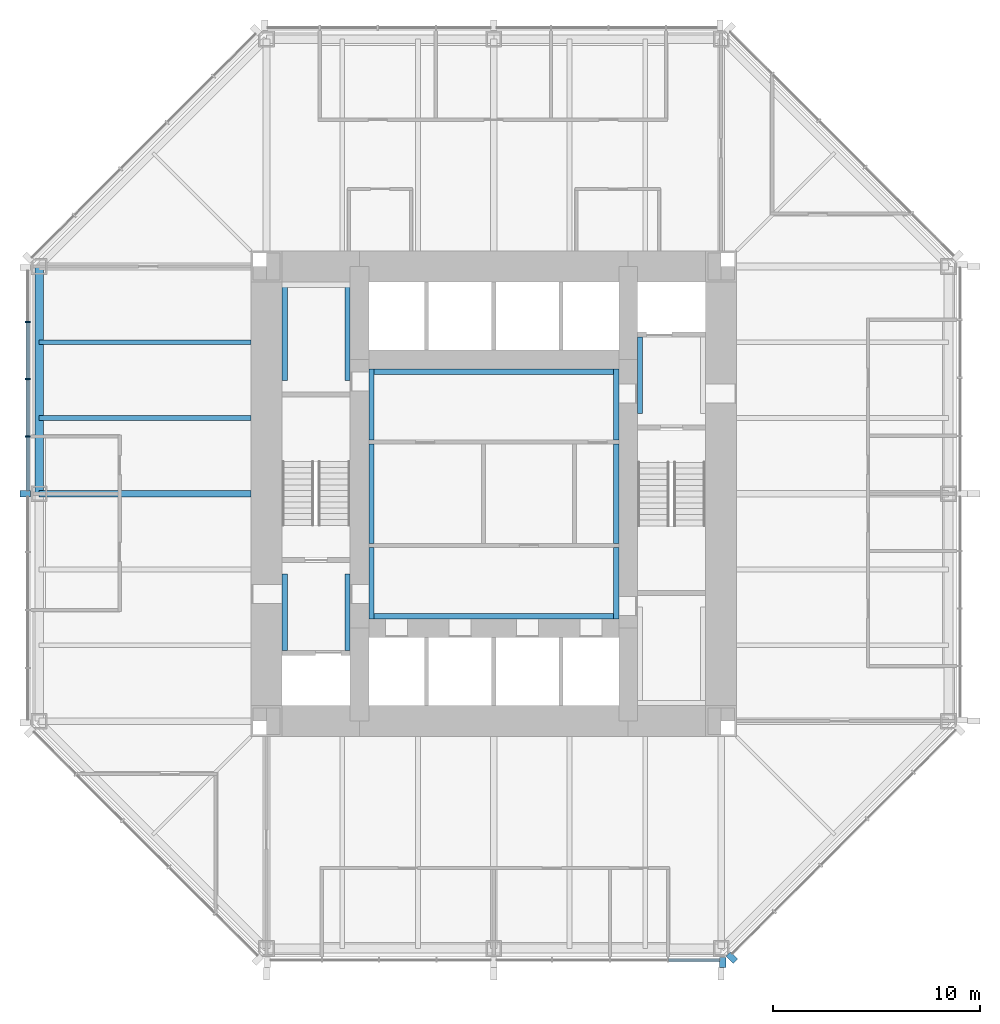
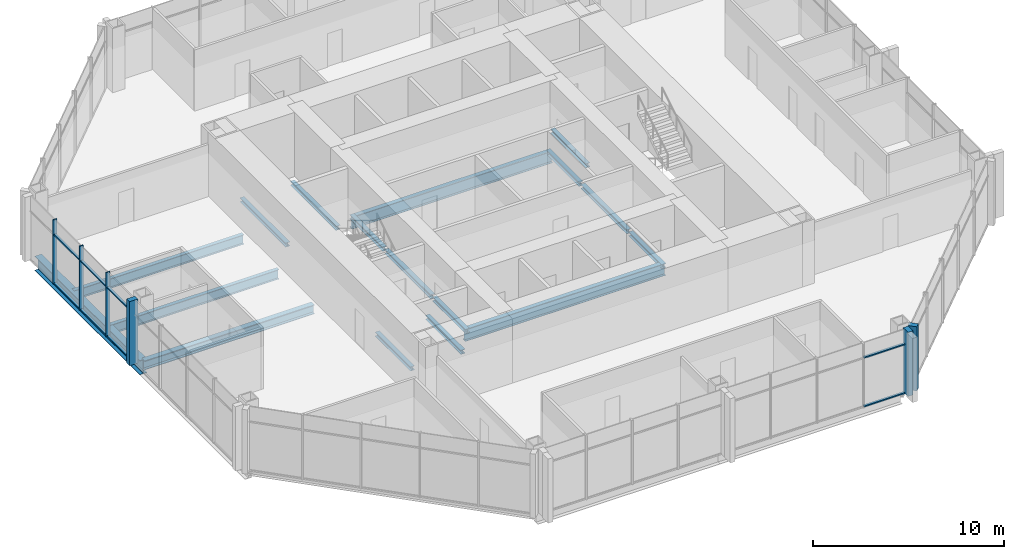
# One storey, part 3 of 12: 17 beams, 14 members, 3 elements without a shape of their own.
"""IFC4 building model written with IfcOpenShell, lengths in metres."""

from ifc_helpers import new_model, si_unit, direction, frame, origin, origin_2d, place, context, subcontext, project, spatial, rectangle, i_section, extrude, material, material_profile, profile_set, type_object, element, aggregate, save


model = new_model("IFC4")

# Units and contexts
model_context = context("Model", 3, precision=1e-05, world=origin(), true_north=direction((0.0, 1.0)))
body_context = subcontext(model_context, "Body", "Model", "MODEL_VIEW")
ifc_project = project(units=[si_unit("LENGTHUNIT", "METRE"), si_unit("AREAUNIT", "SQUARE_METRE"), si_unit("VOLUMEUNIT", "CUBIC_METRE"), si_unit("PLANEANGLEUNIT", "RADIAN"), si_unit("MASSUNIT", "GRAM", prefix="KILO")], contexts=[model_context])

# Site, building, storey
site_placement = place(None, origin())
site = spatial("IfcSite", under=ifc_project, at=site_placement, CompositionType="ELEMENT")
building_placement = place(site_placement, origin())
building = spatial("IfcBuilding", under=site, at=building_placement, Name="Trevanion Tower", CompositionType="ELEMENT")
storey_placement = place(building_placement, frame((0.0, 0.0, 150.0)))
storey = spatial("IfcBuildingStorey", under=building, at=storey_placement, Name="L35", CompositionType="ELEMENT", Elevation=150.0)

# Beams
ifc_material_1 = material(Name="Steel ASTM A992 Grade 50", Category="steel")
ifc_material_profile_1 = material_profile(ifc_material_1, i_section(OverallWidth=0.22900390625, OverallDepth=0.612060546875, WebThickness=0.011962890625, FlangeThickness=0.01953125, at=origin_2d()), Name="W24X84")
ifc_profile_set_1 = profile_set([ifc_material_profile_1], Name="Steel ASTM A992 Grade 50")
beam_type_1 = type_object("IfcBeamType", Name="B7 W24X84", PredefinedType="BEAM", material=ifc_profile_set_1)
for number, where, z_axis, x_axis, name in (
    (1, (-11.75, 7.333251953125, -0.49609375), (-1.0, 0.0, 0.0), (0.0, -1.0, 0.0), "B7 L35"),
    (2, (-11.75, 3.666748046875, -0.49609375), (-1.0, 0.0, 0.0), (0.0, -1.0, 0.0), "B7 L35"),
):
    element("IfcBeam", number, at=place(storey_placement, frame(where, z_axis=z_axis, x_axis=x_axis)), inside=storey, type_object=beam_type_1, Name=name, PredefinedType="BEAM", context=body_context, shape_type="SweptSolid", body=[
        extrude(i_section(OverallWidth=0.22900390625, OverallDepth=0.612060546875, WebThickness=0.011962890625, FlangeThickness=0.01953125, at=origin_2d()), origin(), (0.0, 0.0, 1.0), 10.25),
    ])

# Curtain wall, members
ifc_material_2 = material(Name="Aluminium and glass", Category="aluminium")
curtain_wall_type = type_object("IfcCurtainWallType", Name="CW2 curtain wall", PredefinedType="USERDEFINED", material=ifc_material_2)
curtain_wall_1_placement = place(storey_placement, origin())
curtain_wall_1 = element("IfcCurtainWall", 3, at=curtain_wall_1_placement, inside=storey, type_object=curtain_wall_type, Name="CW2 L35 4", ObjectType="UNITISED CURTAIN WALL", PredefinedType="USERDEFINED")
ifc_material_3 = material(Name="Aluminium extrusion, anodised bronze", Category="aluminium")
ifc_material_profile_2 = material_profile(ifc_material_3, rectangle(XDim=0.074951171875, YDim=0.25, at=origin_2d()), Name="CW2 mullion")
ifc_profile_set_2 = profile_set([ifc_material_profile_2], Name="Aluminium extrusion, anodised bronze")
member_type_1 = type_object("IfcMemberType", Name="CW2 mullion", PredefinedType="MULLION", material=ifc_profile_set_2)
member_1_placement = place(storey_placement, frame((-22.550048828125, 8.323486328125, -0.18994140625), z_axis=(0.0, 0.0, 1.0), x_axis=(0.0, -1.0, 0.0)))
member_1 = element("IfcMember", 4, at=member_1_placement, type_object=member_type_1, Name="CW2 mullion 2", PredefinedType="MULLION", context=body_context, shape_type="SweptSolid", body=[
    extrude(rectangle(XDim=0.074951171875, YDim=0.25, at=origin_2d()), origin(), (0.0, 0.0, 1.0), 4.099853515625),
])
member_2_placement = place(storey_placement, frame((-22.550048828125, 5.548828125, -0.18994140625), z_axis=(0.0, 0.0, 1.0), x_axis=(0.0, -1.0, 0.0)))
member_2 = element("IfcMember", 5, at=member_2_placement, type_object=member_type_1, Name="CW2 mullion 3", PredefinedType="MULLION", context=body_context, shape_type="SweptSolid", body=[
    extrude(rectangle(XDim=0.074951171875, YDim=0.25, at=origin_2d()), origin(), (0.0, 0.0, 1.0), 4.099853515625),
])
member_3_placement = place(storey_placement, frame((-22.550048828125, 2.7744140625, -0.18994140625), z_axis=(0.0, 0.0, 1.0), x_axis=(0.0, -1.0, 0.0)))
member_3 = element("IfcMember", 6, at=member_3_placement, type_object=member_type_1, Name="CW2 mullion 4", PredefinedType="MULLION", context=body_context, shape_type="SweptSolid", body=[
    extrude(rectangle(XDim=0.074951171875, YDim=0.25, at=origin_2d()), origin(), (0.0, 0.0, 1.0), 4.099853515625),
])
ifc_material_4 = material(Name="Aluminium extrusion, anodised bronze", Category="aluminium")
ifc_material_profile_3 = material_profile(ifc_material_4, rectangle(XDim=0.300048828125, YDim=0.5, at=origin_2d()), Name="CW2 pier mullion")
ifc_profile_set_3 = profile_set([ifc_material_profile_3], Name="Aluminium extrusion, anodised bronze")
member_type_2 = type_object("IfcMemberType", Name="CW2 pier mullion", PredefinedType="MULLION", material=ifc_profile_set_3)
member_4_placement = place(storey_placement, frame((-22.675048828125, 0.0, -0.18994140625), z_axis=(0.0, 0.0, 1.0), x_axis=(0.0, -1.0, 0.0)))
member_4 = element("IfcMember", 7, at=member_4_placement, type_object=member_type_2, Name="CW2 pier mullion 5", PredefinedType="MULLION", context=body_context, shape_type="SweptSolid", body=[
    extrude(rectangle(XDim=0.300048828125, YDim=0.5, at=origin_2d()), origin(), (0.0, 0.0, 1.0), 4.099853515625),
])

# Curtain wall, member
curtain_wall_2_placement = place(storey_placement, origin())
curtain_wall_2 = element("IfcCurtainWall", 8, at=curtain_wall_2_placement, inside=storey, type_object=curtain_wall_type, Name="CW2 L35 6", ObjectType="UNITISED CURTAIN WALL", PredefinedType="USERDEFINED")
member_5_placement = place(storey_placement, frame((11.077880859375, -22.675048828125, -0.18994140625), z_axis=(0.0, 0.0, 1.0), x_axis=(1.0, 0.0, 0.0)))
member_5 = element("IfcMember", 9, at=member_5_placement, type_object=member_type_2, Name="CW2 pier mullion 9", PredefinedType="MULLION", context=body_context, shape_type="SweptSolid", body=[
    extrude(rectangle(XDim=0.300048828125, YDim=0.5, at=origin_2d()), origin(), (0.0, 0.0, 1.0), 4.099853515625),
])

curtain_wall_3_placement = place(storey_placement, origin())
curtain_wall_3 = element("IfcCurtainWall", 10, at=curtain_wall_3_placement, inside=storey, type_object=curtain_wall_type, Name="CW2 L35 7", ObjectType="UNITISED CURTAIN WALL", PredefinedType="USERDEFINED")
member_6_placement = place(storey_placement, frame((11.51416015625, -22.4404296875, -0.18994140625), z_axis=(0.0, 0.0, 1.0), x_axis=(0.707106781187, 0.707106781187, 0.0)))
member_6 = element("IfcMember", 11, at=member_6_placement, type_object=member_type_2, Name="CW2 pier mullion 1", PredefinedType="MULLION", context=body_context, shape_type="SweptSolid", body=[
    extrude(rectangle(XDim=0.300048828125, YDim=0.5, at=origin_2d()), origin(), (0.0, 0.0, 1.0), 4.099853515625),
])
aggregate(curtain_wall_3, [member_6])

# Member
ifc_material_5 = material(Name="Aluminium extrusion, anodised bronze", Category="aluminium")
ifc_material_profile_4 = material_profile(ifc_material_5, rectangle(XDim=0.14990234375, YDim=0.074951171875, at=origin_2d()), Name="CW2 transom")
ifc_profile_set_4 = profile_set([ifc_material_profile_4], Name="Aluminium extrusion, anodised bronze")
member_type_3 = type_object("IfcMemberType", Name="CW2 transom", PredefinedType="USERDEFINED", material=ifc_profile_set_4)
member_7_placement = place(storey_placement, frame((-22.550048828125, 8.285888671875, -0.152587890625), z_axis=(0.0, -1.0, 0.0), x_axis=(1.0, 0.0, 0.0)))
member_7 = element("IfcMember", 12, at=member_7_placement, type_object=member_type_3, Name="CW2 transom 2.1", ObjectType="TRANSOM", PredefinedType="USERDEFINED", context=body_context, shape_type="SweptSolid", body=[
    extrude(rectangle(XDim=0.14990234375, YDim=0.074951171875, at=origin_2d()), origin(), (0.0, 0.0, 1.0), 2.699462890625),
])

member_8_placement = place(storey_placement, frame((-22.550048828125, 8.285888671875, 2.9599609375), z_axis=(0.0, -1.0, 0.0), x_axis=(1.0, 0.0, 0.0)))
member_8 = element("IfcMember", 13, at=member_8_placement, type_object=member_type_3, Name="CW2 transom 2.2", ObjectType="TRANSOM", PredefinedType="USERDEFINED", context=body_context, shape_type="SweptSolid", body=[
    extrude(rectangle(XDim=0.14990234375, YDim=0.074951171875, at=origin_2d()), origin(), (0.0, 0.0, 1.0), 2.699462890625),
])

member_9_placement = place(storey_placement, frame((-22.550048828125, 5.511474609375, -0.152587890625), z_axis=(0.0, -1.0, 0.0), x_axis=(1.0, 0.0, 0.0)))
member_9 = element("IfcMember", 14, at=member_9_placement, type_object=member_type_3, Name="CW2 transom 3.1", ObjectType="TRANSOM", PredefinedType="USERDEFINED", context=body_context, shape_type="SweptSolid", body=[
    extrude(rectangle(XDim=0.14990234375, YDim=0.074951171875, at=origin_2d()), origin(), (0.0, 0.0, 1.0), 2.699462890625),
])

member_10_placement = place(storey_placement, frame((-22.550048828125, 5.511474609375, 2.9599609375), z_axis=(0.0, -1.0, 0.0), x_axis=(1.0, 0.0, 0.0)))
member_10 = element("IfcMember", 15, at=member_10_placement, type_object=member_type_3, Name="CW2 transom 3.2", ObjectType="TRANSOM", PredefinedType="USERDEFINED", context=body_context, shape_type="SweptSolid", body=[
    extrude(rectangle(XDim=0.14990234375, YDim=0.074951171875, at=origin_2d()), origin(), (0.0, 0.0, 1.0), 2.699462890625),
])

member_11_placement = place(storey_placement, frame((-22.550048828125, 2.737060546875, -0.152587890625), z_axis=(0.0, -1.0, 0.0), x_axis=(1.0, 0.0, 0.0)))
member_11 = element("IfcMember", 16, at=member_11_placement, type_object=member_type_3, Name="CW2 transom 4.1", ObjectType="TRANSOM", PredefinedType="USERDEFINED", context=body_context, shape_type="SweptSolid", body=[
    extrude(rectangle(XDim=0.14990234375, YDim=0.074951171875, at=origin_2d()), origin(), (0.0, 0.0, 1.0), 2.587158203125),
])

member_12_placement = place(storey_placement, frame((-22.550048828125, 2.737060546875, 2.9599609375), z_axis=(0.0, -1.0, 0.0), x_axis=(1.0, 0.0, 0.0)))
member_12 = element("IfcMember", 17, at=member_12_placement, type_object=member_type_3, Name="CW2 transom 4.2", ObjectType="TRANSOM", PredefinedType="USERDEFINED", context=body_context, shape_type="SweptSolid", body=[
    extrude(rectangle(XDim=0.14990234375, YDim=0.074951171875, at=origin_2d()), origin(), (0.0, 0.0, 1.0), 2.587158203125),
])

aggregate(curtain_wall_1, [member_1, member_2, member_3, member_4, member_7, member_8, member_9, member_10, member_11, member_12])

member_13_placement = place(storey_placement, frame((8.45849609375, -22.550048828125, -0.152587890625), z_axis=(1.0, 0.0, 0.0), x_axis=(0.0, 1.0, 0.0)))
member_13 = element("IfcMember", 18, at=member_13_placement, type_object=member_type_3, Name="CW2 transom 8.1", ObjectType="TRANSOM", PredefinedType="USERDEFINED", context=body_context, shape_type="SweptSolid", body=[
    extrude(rectangle(XDim=0.14990234375, YDim=0.074951171875, at=origin_2d()), origin(), (0.0, 0.0, 1.0), 2.46923828125),
])

member_14_placement = place(storey_placement, frame((8.45849609375, -22.550048828125, 2.9599609375), z_axis=(1.0, 0.0, 0.0), x_axis=(0.0, 1.0, 0.0)))
member_14 = element("IfcMember", 19, at=member_14_placement, type_object=member_type_3, Name="CW2 transom 8.2", ObjectType="TRANSOM", PredefinedType="USERDEFINED", context=body_context, shape_type="SweptSolid", body=[
    extrude(rectangle(XDim=0.14990234375, YDim=0.074951171875, at=origin_2d()), origin(), (0.0, 0.0, 1.0), 2.46923828125),
])

aggregate(curtain_wall_2, [member_5, member_13, member_14])

# Beams
ifc_material_6 = material(Name="Steel ASTM A992 Grade 50", Category="steel")
ifc_material_profile_5 = material_profile(ifc_material_6, i_section(OverallWidth=0.320068359375, OverallDepth=0.584228515625, WebThickness=0.023193359375, FlangeThickness=0.04150390625, at=origin_2d()), Name="W21X201")
ifc_profile_set_5 = profile_set([ifc_material_profile_5], Name="Steel ASTM A992 Grade 50")
beam_type_2 = type_object("IfcBeamType", Name="G4 W21X201", PredefinedType="BEAM", material=ifc_profile_set_5)
beam_1_placement = place(storey_placement, frame((-11.75, 0.0, -0.482177734375), z_axis=(-1.0, 0.0, 0.0), x_axis=(0.0, -1.0, 0.0)))
element("IfcBeam", 20, at=beam_1_placement, inside=storey, type_object=beam_type_2, Name="G4 L35", PredefinedType="BEAM", context=body_context, shape_type="SweptSolid", body=[
    extrude(i_section(OverallWidth=0.320068359375, OverallDepth=0.584228515625, WebThickness=0.023193359375, FlangeThickness=0.04150390625, at=origin_2d()), origin(), (0.0, 0.0, 1.0), 10.25),
])
ifc_material_7 = material(Name="Steel ASTM A992 Grade 50", Category="steel")
ifc_material_profile_6 = material_profile(ifc_material_7, i_section(OverallWidth=0.256591796875, OverallDepth=0.26416015625, WebThickness=0.011962890625, FlangeThickness=0.01953125, at=origin_2d()), Name="W10X68")
ifc_profile_set_6 = profile_set([ifc_material_profile_6], Name="Steel ASTM A992 Grade 50")
beam_type_3 = type_object("IfcBeamType", Name="LB1 W10X68", PredefinedType="BEAM", material=ifc_profile_set_6)
for number, where, z_axis, x_axis, name in (
    (21, (-5.921630859375, 2.60009765625, -0.33203125), (0.0, 1.0, 0.0), (-1.0, 0.0, 0.0), "LB1 L35"),
    (22, (5.921630859375, 2.60009765625, -0.33203125), (0.0, 1.0, 0.0), (-1.0, 0.0, 0.0), "LB1 L35"),
    (23, (-5.921630859375, -6.050048828125, -0.33203125), (0.0, 1.0, 0.0), (-1.0, 0.0, 0.0), "LB1 L35"),
    (24, (5.921630859375, -6.050048828125, -0.33203125), (0.0, 1.0, 0.0), (-1.0, 0.0, 0.0), "LB1 L35"),
):
    element("IfcBeam", number, at=place(storey_placement, frame(where, z_axis=z_axis, x_axis=x_axis)), inside=storey, type_object=beam_type_3, Name=name, PredefinedType="BEAM", context=body_context, shape_type="SweptSolid", body=[
        extrude(i_section(OverallWidth=0.256591796875, OverallDepth=0.26416015625, WebThickness=0.011962890625, FlangeThickness=0.01953125, at=origin_2d()), origin(), (0.0, 0.0, 1.0), 3.449951171875),
    ])
for number, where, z_axis, x_axis, name in (
    (25, (7.078369140625, 3.875, -0.33203125), (0.0, 1.0, 0.0), (-1.0, 0.0, 0.0), "LB1 L35"),
    (26, (-10.12158203125, -7.574951171875, -0.33203125), (0.0, 1.0, 0.0), (-1.0, 0.0, 0.0), "LB1 L35"),
    (27, (-7.078369140625, -7.574951171875, -0.33203125), (0.0, 1.0, 0.0), (-1.0, 0.0, 0.0), "LB1 L35"),
):
    element("IfcBeam", number, at=place(storey_placement, frame(where, z_axis=z_axis, x_axis=x_axis)), inside=storey, type_object=beam_type_3, Name=name, PredefinedType="BEAM", context=body_context, shape_type="SweptSolid", body=[
        extrude(i_section(OverallWidth=0.256591796875, OverallDepth=0.26416015625, WebThickness=0.011962890625, FlangeThickness=0.01953125, at=origin_2d()), origin(), (0.0, 0.0, 1.0), 3.699951171875),
    ])
for number, where, z_axis, x_axis, name in (
    (28, (-10.12158203125, 5.47509765625, -0.33203125), (0.0, 1.0, 0.0), (-1.0, 0.0, 0.0), "LB1 L35"),
    (29, (-7.078369140625, 5.47509765625, -0.33203125), (0.0, 1.0, 0.0), (-1.0, 0.0, 0.0), "LB1 L35"),
):
    element("IfcBeam", number, at=place(storey_placement, frame(where, z_axis=z_axis, x_axis=x_axis)), inside=storey, type_object=beam_type_3, Name=name, PredefinedType="BEAM", context=body_context, shape_type="SweptSolid", body=[
        extrude(i_section(OverallWidth=0.256591796875, OverallDepth=0.26416015625, WebThickness=0.011962890625, FlangeThickness=0.01953125, at=origin_2d()), origin(), (0.0, 0.0, 1.0), 4.77490234375),
    ])
for number, where, z_axis, x_axis, name in (
    (30, (-5.921630859375, -2.39990234375, -0.33203125), (0.0, 1.0, 0.0), (-1.0, 0.0, 0.0), "LB1 L35"),
    (31, (5.921630859375, -2.39990234375, -0.33203125), (0.0, 1.0, 0.0), (-1.0, 0.0, 0.0), "LB1 L35"),
):
    element("IfcBeam", number, at=place(storey_placement, frame(where, z_axis=z_axis, x_axis=x_axis)), inside=storey, type_object=beam_type_3, Name=name, PredefinedType="BEAM", context=body_context, shape_type="SweptSolid", body=[
        extrude(i_section(OverallWidth=0.256591796875, OverallDepth=0.26416015625, WebThickness=0.011962890625, FlangeThickness=0.01953125, at=origin_2d()), origin(), (0.0, 0.0, 1.0), 4.7998046875),
    ])
ifc_material_8 = material(Name="Steel ASTM A992 Grade 50", Category="steel")
ifc_material_profile_7 = material_profile(ifc_material_8, i_section(OverallWidth=0.2666015625, OverallDepth=0.76953125, WebThickness=0.015625, FlangeThickness=0.025390625, at=origin_2d()), Name="W30X132")
ifc_profile_set_7 = profile_set([ifc_material_profile_7], Name="Steel ASTM A992 Grade 50")
beam_type_4 = type_object("IfcBeamType", Name="LB3 W30X132", PredefinedType="BEAM", material=ifc_profile_set_7)
for number, where, z_axis, x_axis, name in (
    (32, (-6.050048828125, 5.91650390625, -0.584716796875), (1.0, 0.0, 0.0), (0.0, 1.0, 0.0), "LB3 L35"),
    (33, (-6.050048828125, -5.91650390625, -0.584716796875), (1.0, 0.0, 0.0), (0.0, 1.0, 0.0), "LB3 L35"),
):
    element("IfcBeam", number, at=place(storey_placement, frame(where, z_axis=z_axis, x_axis=x_axis)), inside=storey, type_object=beam_type_4, Name=name, PredefinedType="BEAM", context=body_context, shape_type="SweptSolid", body=[
        extrude(i_section(OverallWidth=0.2666015625, OverallDepth=0.76953125, WebThickness=0.015625, FlangeThickness=0.025390625, at=origin_2d()), origin(), (0.0, 0.0, 1.0), 12.10009765625),
    ])
ifc_material_9 = material(Name="Steel ASTM A992 Grade 50", Category="steel")
ifc_material_profile_8 = material_profile(ifc_material_9, i_section(OverallWidth=0.419189453125, OverallDepth=0.927001953125, WebThickness=0.019287109375, FlangeThickness=0.031982421875, at=origin_2d()), Name="W36X231")
ifc_profile_set_8 = profile_set([ifc_material_profile_8], Name="Steel ASTM A992 Grade 50")
beam_type_5 = type_object("IfcBeamType", Name="SB4 W36X231", PredefinedType="SPANDREL", material=ifc_profile_set_8)
beam_2_placement = place(storey_placement, frame((-22.0, 11.0, -0.653564453125), z_axis=(0.0, -1.0, 0.0), x_axis=(1.0, 0.0, 0.0)))
element("IfcBeam", 34, at=beam_2_placement, inside=storey, type_object=beam_type_5, Name="SB4 L35", PredefinedType="SPANDREL", context=body_context, shape_type="SweptSolid", body=[
    extrude(i_section(OverallWidth=0.419189453125, OverallDepth=0.927001953125, WebThickness=0.019287109375, FlangeThickness=0.031982421875, at=origin_2d()), origin(), (0.0, 0.0, 1.0), 11.0),
])

save(model, "model.ifc")
